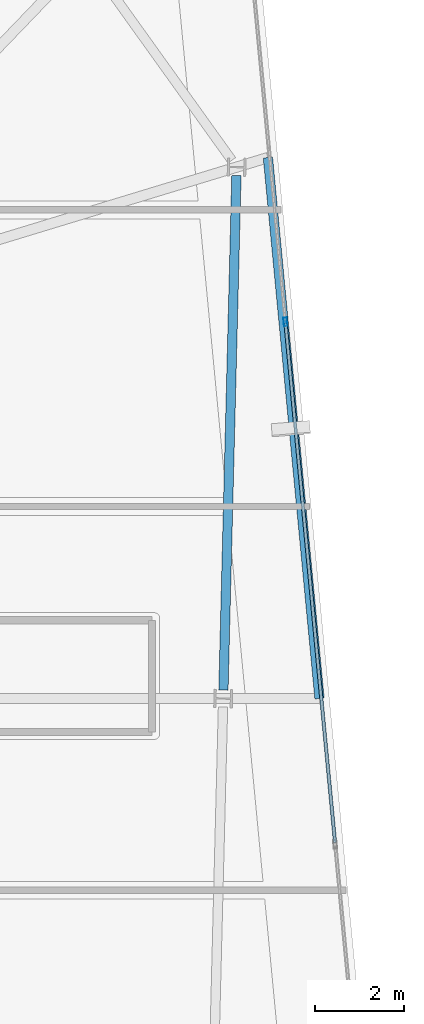
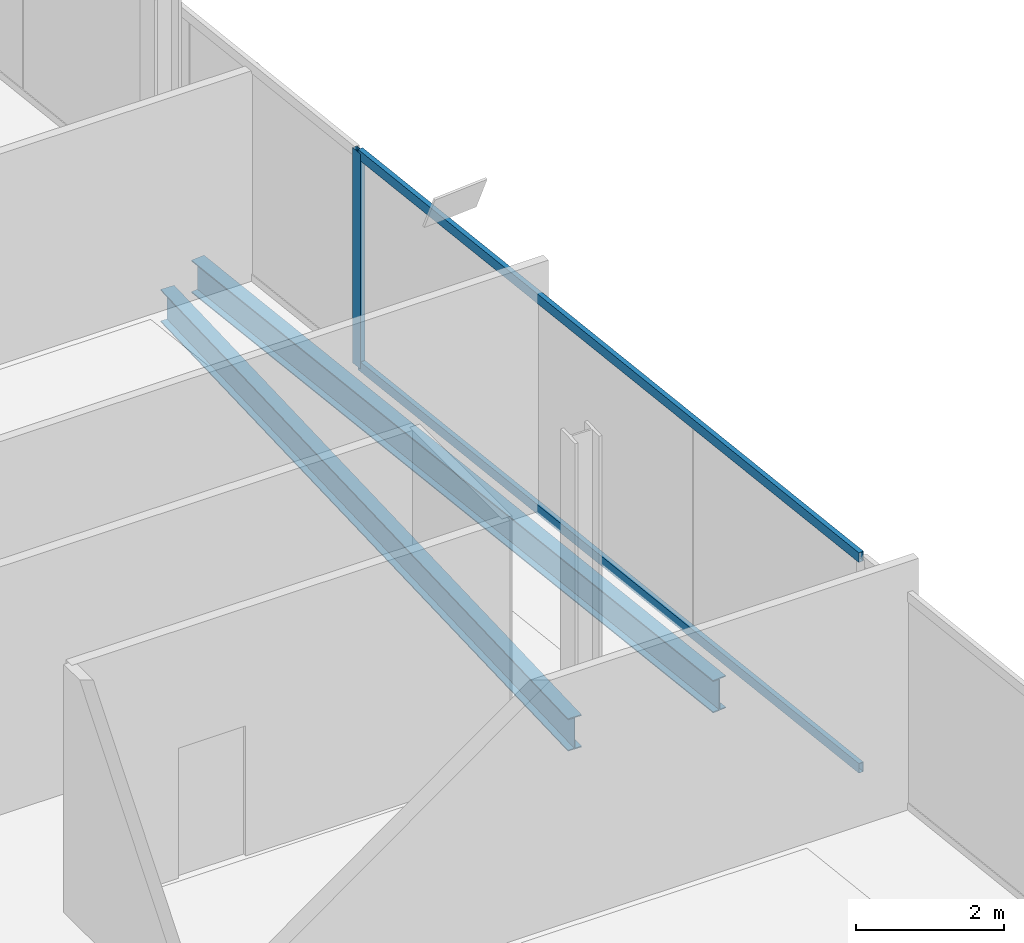
# One storey, part 11 of 24: 3 members, 2 beams, 1 element without a shape of its own.
"""IFC4 building model written with IfcOpenShell, lengths in metres."""

from ifc_helpers import new_model, si_unit, direction, frame, origin, origin_2d, place, context, subcontext, project, spatial, hollow_rectangle, i_section, extrude, material, material_profile, profile_set, type_object, element, aggregate, save


model = new_model("IFC4")

# Units and contexts
model_context = context("Model", 3, precision=1e-05, world=origin(), true_north=direction((0.0, 1.0)))
body_context = subcontext(model_context, "Body", "Model", "MODEL_VIEW")
ifc_project = project(units=[si_unit("LENGTHUNIT", "METRE"), si_unit("AREAUNIT", "SQUARE_METRE"), si_unit("VOLUMEUNIT", "CUBIC_METRE"), si_unit("PLANEANGLEUNIT", "RADIAN"), si_unit("MASSUNIT", "GRAM", prefix="KILO")], contexts=[model_context])

# Site, building, storey
site_placement = place(None, origin())
site = spatial("IfcSite", under=ifc_project, at=site_placement, CompositionType="ELEMENT")
building_placement = place(site_placement, origin())
building = spatial("IfcBuilding", under=site, at=building_placement, Name="Haldenkirk Collegiate Tower", CompositionType="ELEMENT")
storey_placement = place(building_placement, frame((0.0, 0.0, 347.699951171875)))
storey = spatial("IfcBuildingStorey", under=building, at=storey_placement, Name="L88", CompositionType="ELEMENT", Elevation=347.699951171875)

# Beams
ifc_material_1 = material(Name="Steel ASTM A992 Grade 50", Category="steel")
ifc_material_profile_1 = material_profile(ifc_material_1, i_section(OverallWidth=0.2099609375, OverallDepth=0.537109375, WebThickness=0.010986328125, FlangeThickness=0.017333984375, at=origin_2d()), Name="W21X68")
ifc_profile_set_1 = profile_set([ifc_material_profile_1], Name="Steel ASTM A992 Grade 50")
beam_type = type_object("IfcBeamType", Name="BM-SPANDREL-W21X68", PredefinedType="SPANDREL", material=ifc_profile_set_1)
beam_1_placement = place(storey_placement, frame((55.8984375, 25.684326171875, -0.58837890625), z_axis=(0.025302458902, 0.999679841536, 0.0), x_axis=(-0.999679841536, 0.025302458902, 0.0)))
element("IfcBeam", 1, at=beam_1_placement, inside=storey, type_object=beam_type, Name="L88 perimeter spandrel beam 03", PredefinedType="SPANDREL", context=body_context, shape_type="SweptSolid", body=[
    extrude(i_section(OverallWidth=0.2099609375, OverallDepth=0.537109375, WebThickness=0.010986328125, FlangeThickness=0.017333984375, at=origin_2d()), origin(), (0.0, 0.0, 1.0), 11.5400390625),
])
beam_2_placement = place(storey_placement, frame((58.052490234375, 25.496337890625, -0.58837890625), z_axis=(-0.094966106378, 0.995480506409, 0.0), x_axis=(-0.995480506409, -0.094966106378, 0.0)))
element("IfcBeam", 2, at=beam_2_placement, inside=storey, type_object=beam_type, Name="L88 outer facade edge beam 1", PredefinedType="SPANDREL", context=body_context, shape_type="SweptSolid", body=[
    extrude(i_section(OverallWidth=0.2099609375, OverallDepth=0.537109375, WebThickness=0.010986328125, FlangeThickness=0.017333984375, at=origin_2d()), origin(), (0.0, 0.0, 1.0), 12.180419921875),
])

# Curtain wall, members
ifc_material_2 = material(Name="Anodised architectural bronze aluminium", Category="aluminium")
curtain_wall_type = type_object("IfcCurtainWallType", Name="CW-SYS2-CONCAVE", PredefinedType="USERDEFINED", material=ifc_material_2)
curtain_wall_placement = place(storey_placement, origin())
curtain_wall = element("IfcCurtainWall", 3, at=curtain_wall_placement, inside=storey, type_object=curtain_wall_type, Name="L88 South concave recessed bronze-anodised curtain wall", ObjectType="UNITISED CURTAIN WALL", PredefinedType="USERDEFINED")
ifc_material_profile_2 = material_profile(ifc_material_2, hollow_rectangle(XDim=0.074951171875, YDim=0.18994140625, WallThickness=0.0048828125, at=origin_2d()), Name="CW-MUL-02")
ifc_profile_set_2 = profile_set([ifc_material_profile_2], Name="Anodised architectural bronze aluminium")
member_type_1 = type_object("IfcMemberType", Name="CW-MUL-02", PredefinedType="MULLION", material=ifc_profile_set_2)
member_1_placement = place(storey_placement, frame((57.287109375, 33.94091796875, 0.0), z_axis=(0.0, 0.0, 1.0), x_axis=(0.995479722207, 0.094974326396, 0.0)))
member_1 = element("IfcMember", 4, at=member_1_placement, type_object=member_type_1, Name="CW-02 mullion 2", PredefinedType="MULLION", context=body_context, shape_type="SweptSolid", body=[
    extrude(hollow_rectangle(XDim=0.074951171875, YDim=0.18994140625, WallThickness=0.0048828125, at=origin_2d()), origin(), (0.0, 0.0, 1.0), 3.55810546875),
])
ifc_material_profile_3 = material_profile(ifc_material_2, hollow_rectangle(XDim=0.074951171875, YDim=0.159912109375, WallThickness=0.0048828125, at=origin_2d()), Name="CW-TRN-02")
ifc_profile_set_3 = profile_set([ifc_material_profile_3], Name="Anodised architectural bronze aluminium")
member_type_2 = type_object("IfcMemberType", Name="CW-TRN-02", PredefinedType="USERDEFINED", material=ifc_profile_set_3)
member_2_placement = place(storey_placement, frame((57.29052734375, 33.903564453125, 0.03759765625), z_axis=(0.09499139636, -0.99547809349, 0.0), x_axis=(0.99547809349, 0.09499139636, 0.0)))
member_2 = element("IfcMember", 5, at=member_2_placement, type_object=member_type_2, Name="CW-02 transom 2.1", ObjectType="TRANSOM", PredefinedType="USERDEFINED", context=body_context, shape_type="SweptSolid", body=[
    extrude(hollow_rectangle(XDim=0.074951171875, YDim=0.159912109375, WallThickness=0.0048828125, at=origin_2d()), origin(), (0.0, 0.0, 1.0), 11.691650390625),
])
member_3_placement = place(storey_placement, frame((57.29052734375, 33.903564453125, 3.5205078125), z_axis=(0.09499139636, -0.99547809349, 0.0), x_axis=(0.99547809349, 0.09499139636, 0.0)))
member_3 = element("IfcMember", 6, at=member_3_placement, type_object=member_type_2, Name="CW-02 transom 2.2", ObjectType="TRANSOM", PredefinedType="USERDEFINED", context=body_context, shape_type="SweptSolid", body=[
    extrude(hollow_rectangle(XDim=0.074951171875, YDim=0.159912109375, WallThickness=0.0048828125, at=origin_2d()), origin(), (0.0, 0.0, 1.0), 11.691650390625),
])
aggregate(curtain_wall, [member_1, member_2, member_3])

save(model, "model.ifc")
